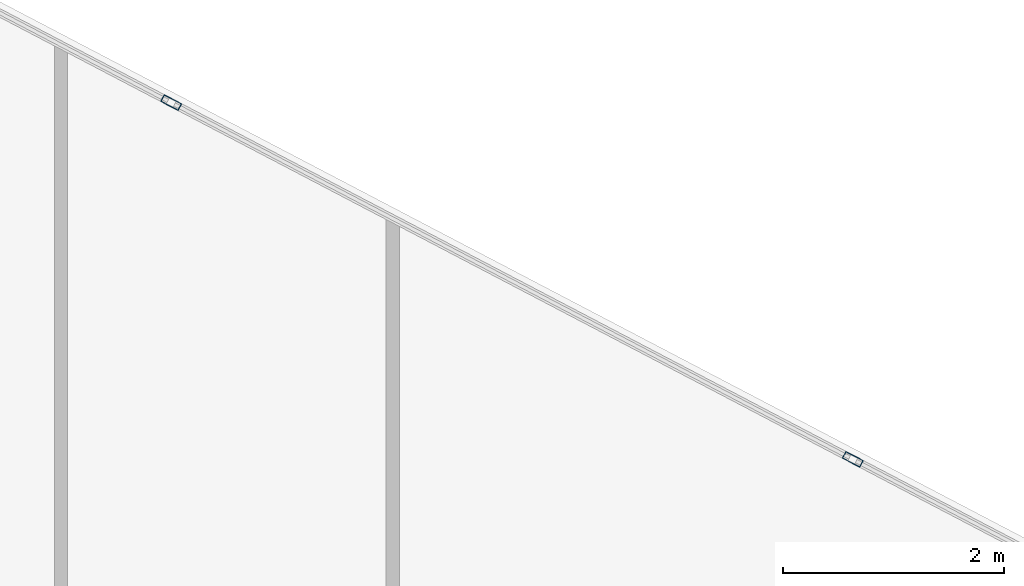
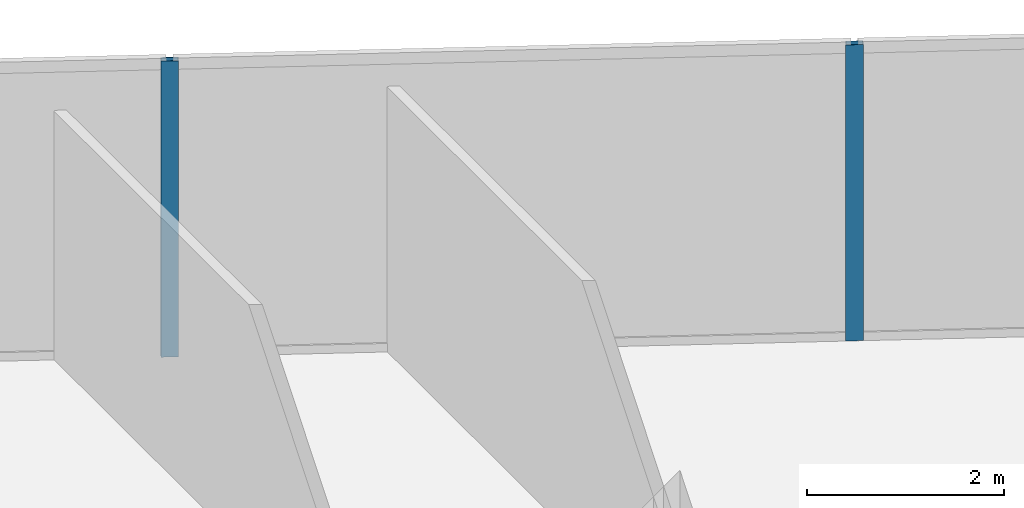
# One storey, part 19 of 27: 2 members, 1 element without a shape of its own.
"""IFC4 building model written with IfcOpenShell, lengths in metres."""

import ifcopenshell
import ifcopenshell.guid

model = None  # the IFC model being written
_history = None  # IfcOwnerHistory: only IFC2X3 demands one
_inside = {}  # id of a spatial element -> (the spatial element, [elements in it])
_under = {}  # id of a project, library or spatial element -> (it, [spatial elements below it])
_declared = {}  # id of a project -> (the project, [libraries it declares])
_typed = {}  # id of a type object -> (the type object, [elements of that type])
_made_of = {}  # id of a material, layer set ... -> (it, [elements and type objects made of it])


def new_model(schema):
    """Start an empty IFC model of exactly this schema.

    Asked for "IFC4X3", IfcOpenShell would pick the latest addendum, in which some entities
    have other attributes; the version numbers below select the first issue.
    IFC2X3 requires an IfcOwnerHistory on every rooted entity: one is made here for all.
    """
    global model, _history
    if schema == "IFC4X3":
        model = ifcopenshell.file(schema_version=(4, 3, 0, 0))
    else:
        model = ifcopenshell.file(schema=schema)
    _inside.clear()
    _under.clear()
    _declared.clear()
    _typed.clear()
    _made_of.clear()
    _history = None
    if model.schema == "IFC2X3":
        org = make("IfcOrganization", Name="unknown")
        user = make(
            "IfcPersonAndOrganization",
            ThePerson=make("IfcPerson", FamilyName="unknown"),
            TheOrganization=org,
        )
        app = make(
            "IfcApplication",
            ApplicationDeveloper=org,
            Version="unknown",
            ApplicationFullName="unknown",
            ApplicationIdentifier="unknown",
        )
        _history = make(
            "IfcOwnerHistory",
            OwningUser=user,
            OwningApplication=app,
            ChangeAction="ADDED",
            CreationDate=0,
        )
    return model


def make(cls, **values):
    """One entity of the class cls with the attributes given. An attribute that is None is left unset."""
    return model.create_entity(
        cls, **{name: value for name, value in values.items() if value is not None}
    )


def rooted(cls, **values):
    """An entity with a GlobalId (a new one), such as an element, a storey or a relation."""
    return make(cls, GlobalId=ifcopenshell.guid.new(), OwnerHistory=_history, **values)


def si_unit(unit_type, name, prefix=None):
    """IfcSIUnit, for example si_unit("LENGTHUNIT", "METRE", prefix="MILLI")."""
    return make("IfcSIUnit", UnitType=unit_type, Prefix=prefix, Name=name)


def assignment(units):
    """IfcUnitAssignment: the units of a project."""
    return None if units is None else make("IfcUnitAssignment", Units=units)


def point(xyz):
    """IfcCartesianPoint."""
    return None if xyz is None else make("IfcCartesianPoint", Coordinates=xyz)


def direction(xyz):
    """IfcDirection."""
    return None if xyz is None else make("IfcDirection", DirectionRatios=xyz)


def frame(location, z_axis=None, x_axis=None):
    """IfcAxis2Placement3D, a coordinate frame: its origin and axes. An axis left out is left unset."""
    return make(
        "IfcAxis2Placement3D",
        Location=point(location),
        Axis=direction(z_axis),
        RefDirection=direction(x_axis),
    )


def frame_2d(location, x_axis=None):
    """IfcAxis2Placement2D, a coordinate frame in the plane: its origin and x axis."""
    return make(
        "IfcAxis2Placement2D", Location=point(location), RefDirection=direction(x_axis)
    )


def origin():
    """The frame at (0, 0, 0) with its axes left unset."""
    return frame((0.0, 0.0, 0.0))


def origin_2d():
    """The frame at (0, 0) in the plane with its x axis left unset."""
    return frame_2d((0.0, 0.0))


def place(relative_to, where):
    """IfcLocalPlacement: puts the frame where relative to a parent placement (None: the world)."""
    return make(
        "IfcLocalPlacement", PlacementRelTo=relative_to, RelativePlacement=where
    )


def context(
    kind, dimensions, precision=None, world=None, true_north=None, identifier=None
):
    """IfcGeometricRepresentationContext, for example the 3D "Model" context."""
    return make(
        "IfcGeometricRepresentationContext",
        ContextIdentifier=identifier,
        ContextType=kind,
        CoordinateSpaceDimension=dimensions,
        Precision=precision,
        WorldCoordinateSystem=world,
        TrueNorth=true_north,
    )


def subcontext(parent, identifier, kind, view, scale=None):
    """IfcGeometricRepresentationSubContext, for example "Body" below "Model"."""
    return make(
        "IfcGeometricRepresentationSubContext",
        ContextIdentifier=identifier,
        ContextType=kind,
        ParentContext=parent,
        TargetScale=scale,
        TargetView=view,
    )


def project(units=None, contexts=None):
    """IfcProject with its units and contexts."""
    return rooted(
        "IfcProject",
        Name="project",
        RepresentationContexts=contexts,
        UnitsInContext=assignment(units),
    )


def spatial(cls, under=None, at=None, **own):
    """A site, building, storey or space (cls), placed at a placement, below another one or the project."""
    s = rooted(cls, ObjectPlacement=at, **own)
    if under is not None:
        _under.setdefault(under.id(), (under, []))[1].append(s)
    return s


def profile(cls, at=None, kind="AREA", **sizes):
    """A parametric profile (cls). Its sizes go by their IFC names, for example OverallWidth=200.0."""
    return make(cls, ProfileType=kind, Position=at, **sizes)


def hollow_rectangle(**sizes):
    """IfcRectangleHollowProfileDef."""
    return profile("IfcRectangleHollowProfileDef", **sizes)


def extrude(swept, where, along, depth):
    """IfcExtrudedAreaSolid: the profile swept, set in the frame where, extruded along a direction by depth."""
    return make(
        "IfcExtrudedAreaSolid",
        SweptArea=swept,
        Position=where,
        ExtrudedDirection=direction(along),
        Depth=depth,
    )


def shape(context_of_items, identifier, shape_type, items):
    """IfcShapeRepresentation: the items that make up one representation, for example the "Body"."""
    return make(
        "IfcShapeRepresentation",
        ContextOfItems=context_of_items,
        RepresentationIdentifier=identifier,
        RepresentationType=shape_type,
        Items=items,
    )


def source(mapping_origin, context_of_items, identifier, shape_type, items):
    """IfcRepresentationMap: a shape defined once, which mapped items show again and again."""
    return make(
        "IfcRepresentationMap",
        MappingOrigin=mapping_origin,
        MappedRepresentation=shape(context_of_items, identifier, shape_type, items),
    )


def transform(
    local_origin,
    x_axis=None,
    y_axis=None,
    z_axis=None,
    scale=None,
    scale2=None,
    scale3=None,
    uniform=True,
):
    """IfcCartesianTransformationOperator3D, or its non-uniform kind. x_axis, y_axis, z_axis: its Axis1, 2, 3."""
    if uniform:
        return make(
            "IfcCartesianTransformationOperator3D",
            Axis1=direction(x_axis),
            Axis2=direction(y_axis),
            LocalOrigin=point(local_origin),
            Scale=scale,
            Axis3=direction(z_axis),
        )
    return make(
        "IfcCartesianTransformationOperator3DnonUniform",
        Axis1=direction(x_axis),
        Axis2=direction(y_axis),
        LocalOrigin=point(local_origin),
        Scale=scale,
        Axis3=direction(z_axis),
        Scale2=scale2,
        Scale3=scale3,
    )


def mapped(mapping_source, mapping_target):
    """IfcMappedItem: shows the shape of a source again, moved by a transform."""
    return make(
        "IfcMappedItem", MappingSource=mapping_source, MappingTarget=mapping_target
    )


def material(Name=None, Category=None):
    """IfcMaterial."""
    return make("IfcMaterial", Name=Name, Category=Category)


def material_profile(
    of_material, cross_section, Name=None, Category=None, Priority=None
):
    """IfcMaterialProfile: a cross section and its material."""
    return make(
        "IfcMaterialProfile",
        Name=Name,
        Material=of_material,
        Profile=cross_section,
        Priority=Priority,
        Category=Category,
    )


def profile_set(profiles, Name=None, composite=None):
    """IfcMaterialProfileSet."""
    return make(
        "IfcMaterialProfileSet",
        Name=Name,
        MaterialProfiles=profiles,
        CompositeProfile=composite,
    )


def made_of(thing, what):
    """Note that an element or type object is made of a material, layer set ...; save() writes the relation."""
    if what is not None:
        _made_of.setdefault(what.id(), (what, []))[1].append(thing)
    return thing


def type_object(cls, material=None, **own):
    """A type object (cls), such as IfcWallType, which elements share."""
    return made_of(rooted(cls, **own), material)


def type_shapes(of_type, sources):
    """Give a type object the sources (RepresentationMaps) that its elements show as mapped items."""
    of_type.RepresentationMaps = sources


def element(
    cls,
    number,
    at=None,
    inside=None,
    cuts=None,
    type_object=None,
    material=None,
    context=None,
    identifier="Body",
    shape_type=None,
    held_by="IfcProductDefinitionShape",
    body=None,
    shapes=None,
    **own,
):
    """One element of the class cls, such as IfcWall. Its Tag is "e" and its number.

    at: its placement. inside: the storey or other place that contains it. cuts: it is an
    opening in that element (IfcRelVoidsElement). A single representation is given by context,
    identifier, shape_type and body (its items); several are given by shapes. held_by: the class
    of the entity that holds the representations. save() writes the other relations.
    """
    e = rooted(cls, Tag="e%d" % number, ObjectPlacement=at, **own)
    if body is not None:
        shapes = [shape(context, identifier, shape_type, body)]
    if shapes is not None:
        e.Representation = make(held_by, Representations=shapes)
    if inside is not None:
        _inside.setdefault(inside.id(), (inside, []))[1].append(e)
    if cuts is not None:
        rooted(
            "IfcRelVoidsElement", RelatingBuildingElement=cuts, RelatedOpeningElement=e
        )
    if type_object is not None:
        _typed.setdefault(type_object.id(), (type_object, []))[1].append(e)
    return made_of(e, material)


def aggregate(whole, parts):
    """IfcRelAggregates: a whole, such as a stair, and the parts it consists of."""
    return rooted("IfcRelAggregates", RelatingObject=whole, RelatedObjects=parts)


def save(model, path):
    """Write the relations noted so far, then the file.

    IfcRelAggregates (storeys below a building ...), IfcRelContainedInSpatialStructure (elements
    in a storey), IfcRelDefinesByType, IfcRelAssociatesMaterial and IfcRelDeclares: one each for
    every whole, place, type object, material and project.
    """
    for whole, parts in _under.values():
        aggregate(whole, parts)
    for where, things in _inside.values():
        rooted(
            "IfcRelContainedInSpatialStructure",
            RelatedElements=things,
            RelatingStructure=where,
        )
    for kind, things in _typed.values():
        rooted("IfcRelDefinesByType", RelatedObjects=things, RelatingType=kind)
    for what, things in _made_of.values():
        rooted("IfcRelAssociatesMaterial", RelatedObjects=things, RelatingMaterial=what)
    for by, libraries in _declared.values():
        rooted("IfcRelDeclares", RelatingContext=by, RelatedDefinitions=libraries)
    model.write(path)


model = new_model("IFC4")

# Units and contexts
model_context = context("Model", 3, precision=1e-05, world=origin(), true_north=direction((0.0, 1.0)))
body_context = subcontext(model_context, "Body", "Model", "MODEL_VIEW")
ifc_project = project(units=[si_unit("LENGTHUNIT", "METRE"), si_unit("AREAUNIT", "SQUARE_METRE"), si_unit("VOLUMEUNIT", "CUBIC_METRE"), si_unit("PLANEANGLEUNIT", "RADIAN"), si_unit("MASSUNIT", "GRAM", prefix="KILO")], contexts=[model_context])

# Site, building, storey
site_placement = place(None, origin())
site = spatial("IfcSite", under=ifc_project, at=site_placement, CompositionType="ELEMENT")
building_placement = place(site_placement, origin())
building = spatial("IfcBuilding", under=site, at=building_placement, Name="Krantzveldt Concourse Tower", CompositionType="ELEMENT")
storey_placement = place(building_placement, frame((0.0, 0.0, 158.050048828125)))
storey = spatial("IfcBuildingStorey", under=building, at=storey_placement, Name="L38", CompositionType="ELEMENT", Elevation=158.050048828125)

# Curtain wall, members
ifc_material = material(Name="Anodised aluminium 6063-T6", Category="aluminium")
curtain_wall_type = type_object("IfcCurtainWallType", Name="CW3", PredefinedType="USERDEFINED", material=ifc_material)
curtain_wall_placement = place(storey_placement, origin())
curtain_wall = element("IfcCurtainWall", 1, at=curtain_wall_placement, inside=storey, type_object=curtain_wall_type, Name="CW-L38-F10", ObjectType="UNITISED CURTAIN WALL", PredefinedType="USERDEFINED")
ifc_material_profile = material_profile(ifc_material, hollow_rectangle(XDim=0.070068359375, YDim=0.179931640625, WallThickness=0.0048828125, at=origin_2d()), Name="Anodised aluminium 6063-T6", Category="aluminium")
ifc_profile_set = profile_set([ifc_material_profile], Name="Anodised aluminium 6063-T6 - ALU-MULL 180x70x5")
member_type = type_object("IfcMemberType", Name="CW-MUL-180", PredefinedType="MULLION", material=ifc_profile_set)
shared_shape = source(origin(), body_context, "Body", "SweptSolid", [
    extrude(hollow_rectangle(XDim=0.070068359375, YDim=0.179931640625, WallThickness=0.0048828125, at=origin_2d()), origin(), (0.0, 0.0, 1.0), 3.669921875),
])
type_shapes(member_type, [shared_shape])
member_1_placement = place(storey_placement, frame((55.36279296875, 41.182861328125, 0.0), z_axis=(0.0, 0.0, 1.0), x_axis=(-0.463682819502, -0.886001265743, 0.0)))
member_1 = element("IfcMember", 2, at=member_1_placement, type_object=member_type, Name="CW-Z34 mullion 2", PredefinedType="MULLION", context=body_context, shape_type="MappedRepresentation", body=[
    mapped(shared_shape, transform((0.0, 0.0, 0.0), x_axis=(1.0, 0.0, 0.0), y_axis=(0.0, 1.0, 0.0), z_axis=(0.0, 0.0, 1.0), scale=1.0)),
])
member_2_placement = place(storey_placement, frame((49.1962890625, 44.41015625, 0.0), z_axis=(0.0, 0.0, 1.0), x_axis=(-0.463682819502, -0.886001265743, 0.0)))
member_2 = element("IfcMember", 3, at=member_2_placement, type_object=member_type, Name="CW-Z34 mullion 3", PredefinedType="MULLION", context=body_context, shape_type="MappedRepresentation", body=[
    mapped(shared_shape, transform((0.0, 0.0, 0.0), x_axis=(1.0, 0.0, 0.0), y_axis=(0.0, 1.0, 0.0), z_axis=(0.0, 0.0, 1.0), scale=1.0)),
])
aggregate(curtain_wall, [member_1, member_2])

save(model, "model.ifc")
